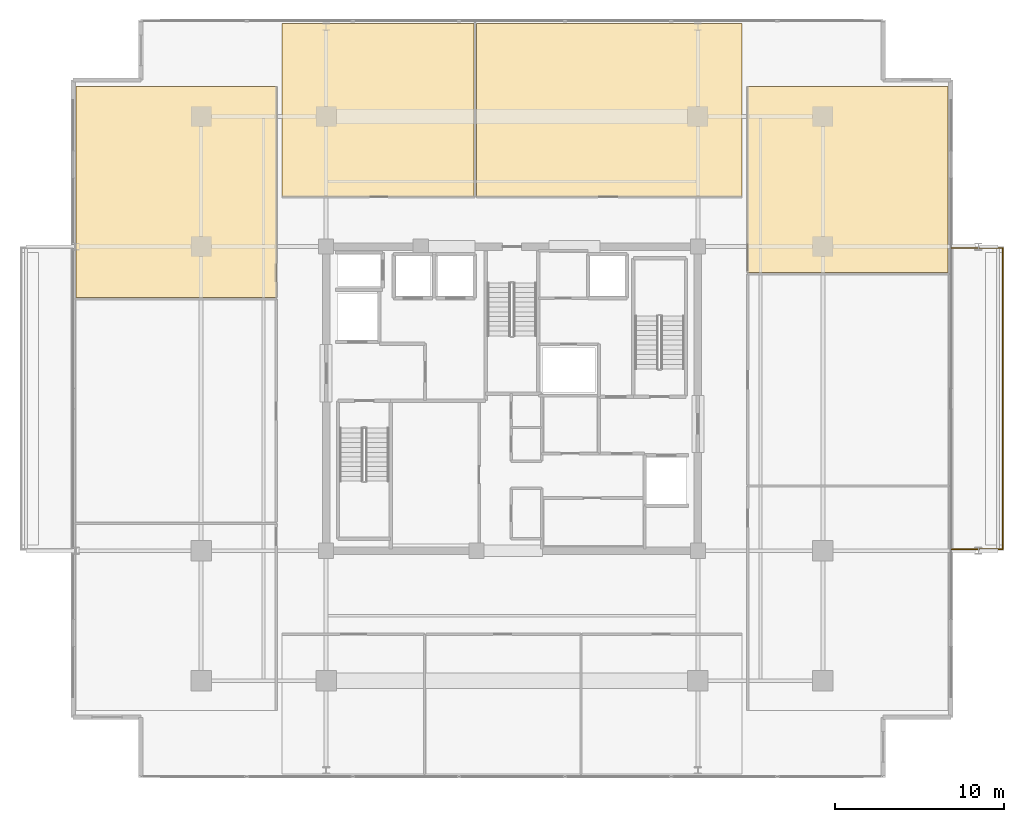
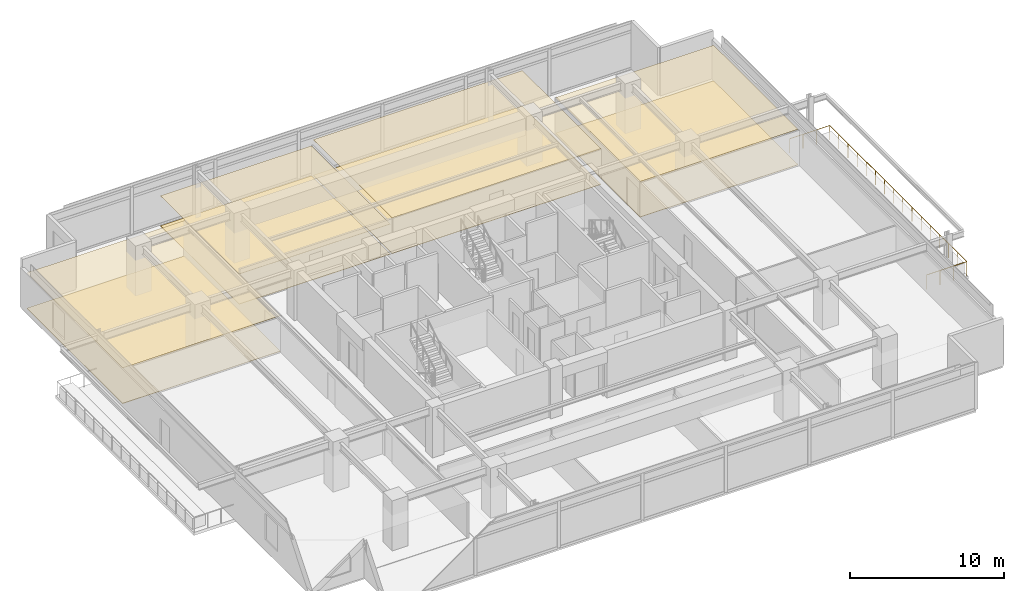
# One storey, part 21 of 21: 8 coverings, 1 railing.
"""IFC4 building model written with IfcOpenShell, lengths in metres."""

from ifc_helpers import new_model, si_unit, direction, frame, origin, origin_2d, place, context, subcontext, project, spatial, polyline, circle, outline, extrude, material, layer, layer_set, type_object, element, save


model = new_model("IFC4")

# Units and contexts
model_context = context("Model", 3, precision=1e-05, world=origin(), true_north=direction((0.0, 1.0)))
body_context = subcontext(model_context, "Body", "Model", "MODEL_VIEW")
ifc_project = project(units=[si_unit("LENGTHUNIT", "METRE"), si_unit("AREAUNIT", "SQUARE_METRE"), si_unit("VOLUMEUNIT", "CUBIC_METRE"), si_unit("PLANEANGLEUNIT", "RADIAN"), si_unit("MASSUNIT", "GRAM", prefix="KILO")], contexts=[model_context])

# Site, building, storey
site_placement = place(None, origin())
site = spatial("IfcSite", under=ifc_project, at=site_placement, CompositionType="ELEMENT")
building_placement = place(site_placement, origin())
building = spatial("IfcBuilding", under=site, at=building_placement, Name="Kovane Verandah Tower", CompositionType="ELEMENT")
storey_placement = place(building_placement, frame((0.0, 0.0, 275.199951171875)))
storey = spatial("IfcBuildingStorey", under=building, at=storey_placement, Name="L64", CompositionType="ELEMENT", Elevation=275.199951171875)

# Coverings
ifc_material_1 = material(Name="Perforated Acoustic Mineral-Fibre Ceiling Tile", Category="gypsum")
ifc_layer_1 = layer(ifc_material_1, 0.02490234375)
ifc_layer_set_1 = layer_set([ifc_layer_1], Name="Perforated Acoustic Mineral-Fibre Ceiling Tile")
covering_type_1 = type_object("IfcCoveringType", Name="CV-CEIL-25", PredefinedType="CEILING", material=ifc_layer_set_1)
covering_1_placement = place(storey_placement, frame((0.0, 0.0, 2.39013671875)))
element("IfcCovering", 1, at=covering_1_placement, inside=storey, type_object=covering_type_1, Name="L64 Open Plan Office N1 Acoustic Ceiling", PredefinedType="CEILING", context=body_context, shape_type="SweptSolid", body=[
    extrude(outline(polyline([(26.39990234375, 39.449951171875), (37.75390625, 39.449951171875), (37.75390625, 49.710205078125), (26.39990234375, 49.710205078125), (26.39990234375, 39.449951171875)])), origin(), (0.0, 0.0, 1.0), 0.02490234375),
])
covering_2_placement = place(storey_placement, frame((0.0, 0.0, 2.824951171875)))
element("IfcCovering", 2, at=covering_2_placement, inside=storey, type_object=covering_type_1, Name="L64 Executive Office N2 Acoustic Ceiling", PredefinedType="CEILING", context=body_context, shape_type="SweptSolid", body=[
    extrude(outline(polyline([(37.89404296875, 39.449951171875), (53.60009765625, 39.449951171875), (53.60009765625, 49.710205078125), (37.89404296875, 49.710205078125), (37.89404296875, 39.449951171875)])), origin(), (0.0, 0.0, 1.0), 0.025146484375),
])
covering_3_placement = place(storey_placement, frame((0.0, 0.0, 2.824951171875)))
element("IfcCovering", 3, at=covering_3_placement, inside=storey, type_object=covering_type_1, Name="L64 Document and Print Room W3 Acoustic Ceiling", PredefinedType="CEILING", context=body_context, shape_type="SweptSolid", body=[
    extrude(outline(polyline([(14.1806640625, 33.477294921875), (26.050048828125, 33.477294921875), (26.050048828125, 45.960205078125), (14.1806640625, 45.960205078125), (14.1806640625, 33.477294921875)])), origin(), (0.0, 0.0, 1.0), 0.025146484375),
])
covering_4_placement = place(storey_placement, frame((0.0, 0.0, 2.824951171875)))
element("IfcCovering", 4, at=covering_4_placement, inside=storey, type_object=covering_type_1, Name="L64 Client Boardroom E3 Acoustic Ceiling", PredefinedType="CEILING", context=body_context, shape_type="SweptSolid", body=[
    extrude(outline(polyline([(53.949951171875, 34.9541015625), (65.8193359375, 34.9541015625), (65.8193359375, 45.960205078125), (53.949951171875, 45.960205078125), (53.949951171875, 34.9541015625)])), origin(), (0.0, 0.0, 1.0), 0.025146484375),
])
ifc_material_2 = material(Name="Polished Terrazzo and Raised-Access Carpet Tile Finish", Category="concrete")
ifc_layer_2 = layer(ifc_material_2, 0.030029296875)
ifc_layer_set_2 = layer_set([ifc_layer_2], Name="Polished Terrazzo and Raised-Access Carpet Tile Finish")
covering_type_2 = type_object("IfcCoveringType", Name="CV-FLOR-30", PredefinedType="FLOORING", material=ifc_layer_set_2)
covering_5_placement = place(storey_placement, origin())
element("IfcCovering", 5, at=covering_5_placement, inside=storey, type_object=covering_type_2, Name="L64 Open Plan Office N1 Floor Finish", PredefinedType="FLOORING", context=body_context, shape_type="SweptSolid", body=[
    extrude(outline(polyline([(26.39990234375, 39.449951171875), (37.75390625, 39.449951171875), (37.75390625, 49.710205078125), (26.39990234375, 49.710205078125), (26.39990234375, 39.449951171875)])), origin(), (0.0, 0.0, 1.0), 0.030029296875),
])
covering_6_placement = place(storey_placement, origin())
element("IfcCovering", 6, at=covering_6_placement, inside=storey, type_object=covering_type_2, Name="L64 Executive Office N2 Floor Finish", PredefinedType="FLOORING", context=body_context, shape_type="SweptSolid", body=[
    extrude(outline(polyline([(37.89404296875, 39.449951171875), (53.60009765625, 39.449951171875), (53.60009765625, 49.710205078125), (37.89404296875, 49.710205078125), (37.89404296875, 39.449951171875)])), origin(), (0.0, 0.0, 1.0), 0.030029296875),
])
covering_7_placement = place(storey_placement, origin())
element("IfcCovering", 7, at=covering_7_placement, inside=storey, type_object=covering_type_2, Name="L64 Document and Print Room W3 Floor Finish", PredefinedType="FLOORING", context=body_context, shape_type="SweptSolid", body=[
    extrude(outline(polyline([(14.1806640625, 33.477294921875), (26.050048828125, 33.477294921875), (26.050048828125, 45.960205078125), (14.1806640625, 45.960205078125), (14.1806640625, 33.477294921875)])), origin(), (0.0, 0.0, 1.0), 0.030029296875),
])
covering_8_placement = place(storey_placement, origin())
element("IfcCovering", 8, at=covering_8_placement, inside=storey, type_object=covering_type_2, Name="L64 Client Boardroom E3 Floor Finish", PredefinedType="FLOORING", context=body_context, shape_type="SweptSolid", body=[
    extrude(outline(polyline([(53.949951171875, 34.9541015625), (65.8193359375, 34.9541015625), (65.8193359375, 45.960205078125), (53.949951171875, 45.960205078125), (53.949951171875, 34.9541015625)])), origin(), (0.0, 0.0, 1.0), 0.030029296875),
])

# Railing
ifc_material_3 = material(Name="Laminated Glass and Pale-Champagne Stainless Balustrade", Category="glass")
railing_type = type_object("IfcRailingType", Name="RL-BAL-1150", PredefinedType="BALUSTRADE", material=ifc_material_3)
railing_placement = place(storey_placement, frame((66.019287109375, 18.580078125, 0.0)))
element("IfcRailing", 9, at=railing_placement, inside=storey, type_object=railing_type, Name="L64 E Verandah Glass Balustrade", PredefinedType="BALUSTRADE", context=body_context, shape_type="SweptSolid", body=[
    extrude(circle(Radius=0.02392578125, at=origin_2d()), frame((0.0, 0.0, 1.1259765625), z_axis=(1.0, 0.0, 0.0), x_axis=(0.0, 1.0, 0.0)), (0.0, 0.0, 1.0), 3.02001953125),
    extrude(circle(Radius=0.02392578125, at=origin_2d()), frame((3.02001953125, 0.0, 1.1259765625), z_axis=(0.0, 1.0, 0.0), x_axis=(-1.0, 0.0, 0.0)), (0.0, 0.0, 1.0), 17.83984375),
    extrude(circle(Radius=0.02392578125, at=origin_2d()), frame((3.02001953125, 17.83984375, 1.1259765625), z_axis=(-1.0, 0.0, 0.0), x_axis=(0.0, -1.0, 0.0)), (0.0, 0.0, 1.0), 3.02001953125),
    extrude(circle(Radius=0.02099609375, at=origin_2d()), origin(), (0.0, 0.0, 1.0), 1.101806640625),
    extrude(circle(Radius=0.02099609375, at=origin_2d()), frame((1.006591796875, 0.0, 0.0)), (0.0, 0.0, 1.0), 1.101806640625),
    extrude(circle(Radius=0.02099609375, at=origin_2d()), frame((2.013427734375, 0.0, 0.0)), (0.0, 0.0, 1.0), 1.101806640625),
    extrude(circle(Radius=0.02099609375, at=origin_2d()), frame((3.02001953125, 0.0, 0.0)), (0.0, 0.0, 1.0), 1.101806640625),
    extrude(circle(Radius=0.02099609375, at=origin_2d()), frame((3.02001953125, 1.189208984375, 0.0)), (0.0, 0.0, 1.0), 1.101806640625),
    extrude(circle(Radius=0.02099609375, at=origin_2d()), frame((3.02001953125, 2.378662109375, 0.0)), (0.0, 0.0, 1.0), 1.101806640625),
    extrude(circle(Radius=0.02099609375, at=origin_2d()), frame((3.02001953125, 3.56787109375, 0.0)), (0.0, 0.0, 1.0), 1.101806640625),
    extrude(circle(Radius=0.02099609375, at=origin_2d()), frame((3.02001953125, 4.75732421875, 0.0)), (0.0, 0.0, 1.0), 1.101806640625),
    extrude(circle(Radius=0.02099609375, at=origin_2d()), frame((3.02001953125, 5.946533203125, 0.0)), (0.0, 0.0, 1.0), 1.101806640625),
    extrude(circle(Radius=0.02099609375, at=origin_2d()), frame((3.02001953125, 7.135986328125, 0.0)), (0.0, 0.0, 1.0), 1.101806640625),
    extrude(circle(Radius=0.02099609375, at=origin_2d()), frame((3.02001953125, 8.3251953125, 0.0)), (0.0, 0.0, 1.0), 1.101806640625),
    extrude(circle(Radius=0.02099609375, at=origin_2d()), frame((3.02001953125, 9.5146484375, 0.0)), (0.0, 0.0, 1.0), 1.101806640625),
    extrude(circle(Radius=0.02099609375, at=origin_2d()), frame((3.02001953125, 10.703857421875, 0.0)), (0.0, 0.0, 1.0), 1.101806640625),
    extrude(circle(Radius=0.02099609375, at=origin_2d()), frame((3.02001953125, 11.893310546875, 0.0)), (0.0, 0.0, 1.0), 1.101806640625),
    extrude(circle(Radius=0.02099609375, at=origin_2d()), frame((3.02001953125, 13.08251953125, 0.0)), (0.0, 0.0, 1.0), 1.101806640625),
    extrude(circle(Radius=0.02099609375, at=origin_2d()), frame((3.02001953125, 14.27197265625, 0.0)), (0.0, 0.0, 1.0), 1.101806640625),
    extrude(circle(Radius=0.02099609375, at=origin_2d()), frame((3.02001953125, 15.461181640625, 0.0)), (0.0, 0.0, 1.0), 1.101806640625),
    extrude(circle(Radius=0.02099609375, at=origin_2d()), frame((3.02001953125, 16.650634765625, 0.0)), (0.0, 0.0, 1.0), 1.101806640625),
    extrude(circle(Radius=0.02099609375, at=origin_2d()), frame((3.02001953125, 17.83984375, 0.0)), (0.0, 0.0, 1.0), 1.101806640625),
    extrude(circle(Radius=0.02099609375, at=origin_2d()), frame((2.013427734375, 17.83984375, 0.0)), (0.0, 0.0, 1.0), 1.101806640625),
    extrude(circle(Radius=0.02099609375, at=origin_2d()), frame((1.006591796875, 17.83984375, 0.0)), (0.0, 0.0, 1.0), 1.101806640625),
    extrude(circle(Radius=0.02099609375, at=origin_2d()), frame((0.0, 17.83984375, 0.0)), (0.0, 0.0, 1.0), 1.101806640625),
])

save(model, "model.ifc")
